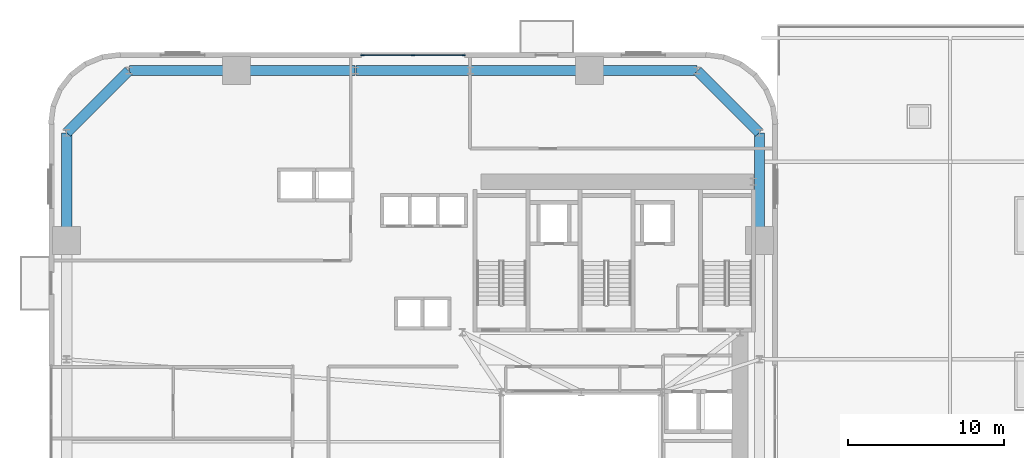
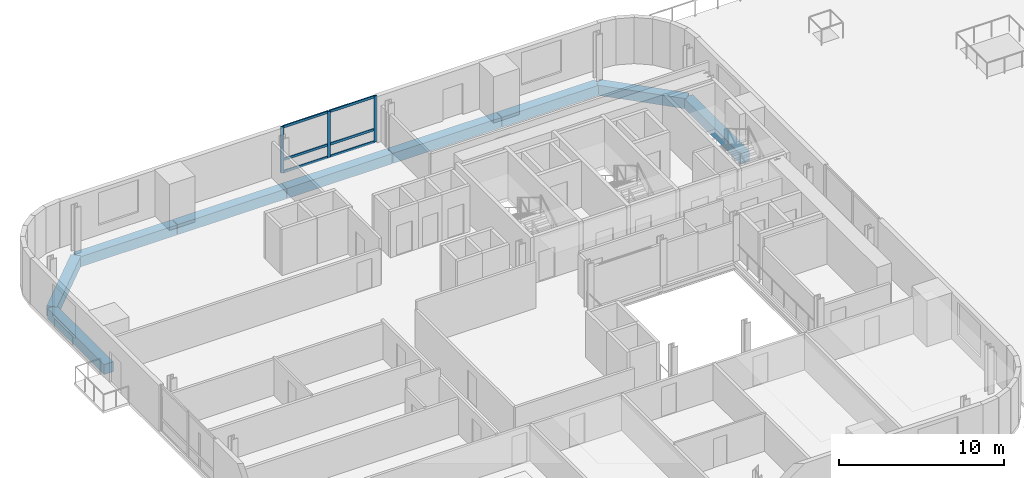
# One storey, part 6 of 18: 9 beams, 9 members, 1 element without a shape of its own.
"""IFC4 building model written with IfcOpenShell, lengths in metres."""

from ifc_helpers import new_model, si_unit, direction, frame, origin, origin_2d, place, context, subcontext, project, spatial, rectangle, extrude, source, transform, mapped, material, material_profile, profile_set, type_object, element, aggregate, save


model = new_model("IFC4")

# Units and contexts
model_context = context("Model", 3, precision=1e-05, world=origin(), true_north=direction((0.0, 1.0)))
body_context = subcontext(model_context, "Body", "Model", "MODEL_VIEW")
ifc_project = project(units=[si_unit("LENGTHUNIT", "METRE"), si_unit("AREAUNIT", "SQUARE_METRE"), si_unit("VOLUMEUNIT", "CUBIC_METRE"), si_unit("PLANEANGLEUNIT", "RADIAN"), si_unit("MASSUNIT", "GRAM", prefix="KILO")], contexts=[model_context])

# Site, building, storey
site_placement = place(None, origin())
site = spatial("IfcSite", under=ifc_project, at=site_placement, CompositionType="ELEMENT")
building_placement = place(site_placement, origin())
building = spatial("IfcBuilding", under=site, at=building_placement, Name="Vardaveli Station Tower", CompositionType="ELEMENT")
storey_placement = place(building_placement, frame((0.0, 0.0, 27.60009765625)))
storey = spatial("IfcBuildingStorey", under=building, at=storey_placement, Name="L06", CompositionType="ELEMENT", Elevation=27.60009765625)

# Beams
ifc_material_1 = material(Name="Precast concrete C45/55", Category="concrete")
ifc_material_profile_1 = material_profile(ifc_material_1, rectangle(XDim=0.64990234375, YDim=0.75, at=origin_2d()), Name="LPB 650x750")
ifc_profile_set_1 = profile_set([ifc_material_profile_1], Name="Precast concrete C45/55")
beam_type = type_object("IfcBeamType", Name="BM-LPB-750", PredefinedType="BEAM", material=ifc_profile_set_1)
shared_shape_1 = source(origin(), body_context, "Body", "SweptSolid", [
    extrude(rectangle(XDim=0.64990234375, YDim=0.75, at=origin_2d()), origin(), (0.0, 0.0, 1.0), 7.60009765625),
])
for number, where, z_axis, x_axis, name in (
    (1, (36.820068359375, 47.449951171875, -0.614990234375), (-1.0, 0.0, 0.0), (0.0, -1.0, 0.0), "RBM-L06-13"),
    (2, (21.780029296875, 47.449951171875, -0.614990234375), (-1.0, 0.0, 0.0), (0.0, -1.0, 0.0), "RBM-L06-15"),
):
    element("IfcBeam", number, at=place(storey_placement, frame(where, z_axis=z_axis, x_axis=x_axis)), inside=storey, type_object=beam_type, Name=name, PredefinedType="BEAM", context=body_context, shape_type="MappedRepresentation", body=[
        mapped(shared_shape_1, transform((0.0, 0.0, 0.0), scale=1.0)),
    ])
shared_shape_2 = source(origin(), body_context, "Body", "SweptSolid", [
    extrude(rectangle(XDim=0.64990234375, YDim=0.75, at=origin_2d()), origin(), (0.0, 0.0, 1.0), 7.35986328125),
])
beam_placement = place(storey_placement, frame((29.179931640625, 47.449951171875, -0.614990234375), z_axis=(-1.0, 0.0, 0.0), x_axis=(0.0, -1.0, 0.0)))
element("IfcBeam", 3, at=beam_placement, inside=storey, type_object=beam_type, Name="RBM-L06-14", PredefinedType="BEAM", context=body_context, shape_type="MappedRepresentation", body=[
    mapped(shared_shape_2, transform((0.0, 0.0, 0.0), scale=1.0)),
])
shared_shape_3 = source(origin(), body_context, "Body", "SweptSolid", [
    extrude(rectangle(XDim=0.64990234375, YDim=0.75, at=origin_2d()), origin(), (0.0, 0.0, 1.0), 6.869873046875),
])
for number, where, z_axis, x_axis, name in (
    (4, (47.75, 36.56005859375, -0.614990234375), (0.0, 1.0, 0.0), (-1.0, 0.0, 0.0), "RBM-L06-10"),
    (5, (43.72998046875, 47.449951171875, -0.614990234375), (-1.0, 0.0, 0.0), (0.0, -1.0, 0.0), "RBM-L06-12"),
    (6, (14.139892578125, 47.449951171875, -0.614990234375), (-1.0, 0.0, 0.0), (0.0, -1.0, 0.0), "RBM-L06-16"),
    (7, (3.25, 43.429931640625, -0.614990234375), (0.0, -1.0, 0.0), (1.0, 0.0, 0.0), "RBM-L06-18"),
):
    element("IfcBeam", number, at=place(storey_placement, frame(where, z_axis=z_axis, x_axis=x_axis)), inside=storey, type_object=beam_type, Name=name, PredefinedType="BEAM", context=body_context, shape_type="MappedRepresentation", body=[
        mapped(shared_shape_3, transform((0.0, 0.0, 0.0), scale=1.0)),
    ])
shared_shape_4 = source(origin(), body_context, "Body", "SweptSolid", [
    extrude(rectangle(XDim=0.64990234375, YDim=0.75, at=origin_2d()), origin(), (0.0, 0.0, 1.0), 5.61669921875),
])
for number, where, z_axis, x_axis, name in (
    (8, (47.73583984375, 43.464111328125, -0.614990234375), (-0.707106781187, 0.707106781187, 0.0), (-0.707106781187, -0.707106781187, 0.0), "RBM-L06-11"),
    (9, (7.23583984375, 47.435791015625, -0.614990234375), (-0.707106781187, -0.707106781187, 0.0), (0.707106781187, -0.707106781187, 0.0), "RBM-L06-17"),
):
    element("IfcBeam", number, at=place(storey_placement, frame(where, z_axis=z_axis, x_axis=x_axis)), inside=storey, type_object=beam_type, Name=name, PredefinedType="BEAM", context=body_context, shape_type="MappedRepresentation", body=[
        mapped(shared_shape_4, transform((0.0, 0.0, 0.0), scale=1.0)),
    ])

# Curtain wall, members
ifc_material_2 = material(Name="Travertine stone and solar-control glass", Category="masonry")
curtain_wall_type = type_object("IfcCurtainWallType", Name="CW-SYS-2", PredefinedType="NOTDEFINED", material=ifc_material_2)
curtain_wall_placement = place(storey_placement, origin())
curtain_wall = element("IfcCurtainWall", 10, at=curtain_wall_placement, inside=storey, type_object=curtain_wall_type, Name="CW-L06-N", PredefinedType="NOTDEFINED")
ifc_material_3 = material(Name="Anodised aluminium alloy 6063-T6", Category="aluminium")
ifc_material_profile_2 = material_profile(ifc_material_3, rectangle(XDim=0.0849609375, YDim=0.219970703125, at=origin_2d()), Name="CWM 85x220")
ifc_profile_set_2 = profile_set([ifc_material_profile_2], Name="Anodised aluminium alloy 6063-T6")
member_type_1 = type_object("IfcMemberType", Name="CW-SYS-2-MULL", PredefinedType="MULLION", material=ifc_profile_set_2)
shared_shape_5 = source(origin(), body_context, "Body", "SweptSolid", [
    extrude(rectangle(XDim=0.0849609375, YDim=0.219970703125, at=origin_2d()), origin(), (0.0, 0.0, 1.0), 3.409912109375),
])
member_1_placement = place(storey_placement, frame((28.757568359375, 48.43994140625, 0.0), z_axis=(0.0, 0.0, 1.0), x_axis=(0.0, -1.0, 0.0)))
member_1 = element("IfcMember", 11, at=member_1_placement, type_object=member_type_1, Name="CW-2 mullion 1", PredefinedType="MULLION", context=body_context, shape_type="MappedRepresentation", body=[
    mapped(shared_shape_5, transform((0.0, 0.0, 0.0), scale=1.0)),
])
member_2_placement = place(storey_placement, frame((25.5, 48.43994140625, 0.0), z_axis=(0.0, 0.0, 1.0), x_axis=(0.0, -1.0, 0.0)))
member_2 = element("IfcMember", 12, at=member_2_placement, type_object=member_type_1, Name="CW-2 mullion 2", PredefinedType="MULLION", context=body_context, shape_type="MappedRepresentation", body=[
    mapped(shared_shape_5, transform((0.0, 0.0, 0.0), scale=1.0)),
])
member_3_placement = place(storey_placement, frame((22.242431640625, 48.43994140625, 0.0), z_axis=(0.0, 0.0, 1.0), x_axis=(0.0, -1.0, 0.0)))
member_3 = element("IfcMember", 13, at=member_3_placement, type_object=member_type_1, Name="CW-2 mullion 3", PredefinedType="MULLION", context=body_context, shape_type="MappedRepresentation", body=[
    mapped(shared_shape_5, transform((0.0, 0.0, 0.0), scale=1.0)),
])
ifc_material_profile_3 = material_profile(ifc_material_3, rectangle(XDim=0.0849609375, YDim=0.179931640625, at=origin_2d()), Name="CWT 85x180")
ifc_profile_set_3 = profile_set([ifc_material_profile_3], Name="Anodised aluminium alloy 6063-T6")
member_type_2 = type_object("IfcMemberType", Name="CW-SYS-2-TRAN", PredefinedType="NOTDEFINED", material=ifc_profile_set_3)
shared_shape_6 = source(origin(), body_context, "Body", "SweptSolid", [
    extrude(rectangle(XDim=0.0849609375, YDim=0.179931640625, at=origin_2d()), origin(), (0.0, 0.0, 1.0), 3.172607421875),
])
member_4_placement = place(storey_placement, frame((28.715087890625, 48.43994140625, 0.04248046875), z_axis=(-1.0, 0.0, 0.0), x_axis=(0.0, -1.0, 0.0)))
member_4 = element("IfcMember", 14, at=member_4_placement, type_object=member_type_2, Name="CW-2 transom 1.1", ObjectType="TRANSOM", PredefinedType="USERDEFINED", context=body_context, shape_type="MappedRepresentation", body=[
    mapped(shared_shape_6, transform((0.0, 0.0, 0.0), scale=1.0)),
])
member_5_placement = place(storey_placement, frame((28.715087890625, 48.43994140625, 0.949951171875), z_axis=(-1.0, 0.0, 0.0), x_axis=(0.0, -1.0, 0.0)))
member_5 = element("IfcMember", 15, at=member_5_placement, type_object=member_type_2, Name="CW-2 transom 1.2", ObjectType="TRANSOM", PredefinedType="USERDEFINED", context=body_context, shape_type="MappedRepresentation", body=[
    mapped(shared_shape_6, transform((0.0, 0.0, 0.0), scale=1.0)),
])
member_6_placement = place(storey_placement, frame((28.715087890625, 48.43994140625, 3.367431640625), z_axis=(-1.0, 0.0, 0.0), x_axis=(0.0, -1.0, 0.0)))
member_6 = element("IfcMember", 16, at=member_6_placement, type_object=member_type_2, Name="CW-2 transom 1.3", ObjectType="TRANSOM", PredefinedType="USERDEFINED", context=body_context, shape_type="MappedRepresentation", body=[
    mapped(shared_shape_6, transform((0.0, 0.0, 0.0), scale=1.0)),
])
member_7_placement = place(storey_placement, frame((25.45751953125, 48.43994140625, 0.04248046875), z_axis=(-1.0, 0.0, 0.0), x_axis=(0.0, -1.0, 0.0)))
member_7 = element("IfcMember", 17, at=member_7_placement, type_object=member_type_2, Name="CW-2 transom 2.1", ObjectType="TRANSOM", PredefinedType="USERDEFINED", context=body_context, shape_type="MappedRepresentation", body=[
    mapped(shared_shape_6, transform((0.0, 0.0, 0.0), scale=1.0)),
])
member_8_placement = place(storey_placement, frame((25.45751953125, 48.43994140625, 0.949951171875), z_axis=(-1.0, 0.0, 0.0), x_axis=(0.0, -1.0, 0.0)))
member_8 = element("IfcMember", 18, at=member_8_placement, type_object=member_type_2, Name="CW-2 transom 2.2", ObjectType="TRANSOM", PredefinedType="USERDEFINED", context=body_context, shape_type="MappedRepresentation", body=[
    mapped(shared_shape_6, transform((0.0, 0.0, 0.0), scale=1.0)),
])
member_9_placement = place(storey_placement, frame((25.45751953125, 48.43994140625, 3.367431640625), z_axis=(-1.0, 0.0, 0.0), x_axis=(0.0, -1.0, 0.0)))
member_9 = element("IfcMember", 19, at=member_9_placement, type_object=member_type_2, Name="CW-2 transom 2.3", ObjectType="TRANSOM", PredefinedType="USERDEFINED", context=body_context, shape_type="MappedRepresentation", body=[
    mapped(shared_shape_6, transform((0.0, 0.0, 0.0), scale=1.0)),
])
aggregate(curtain_wall, [member_1, member_2, member_3, member_4, member_5, member_6, member_7, member_8, member_9])

save(model, "model.ifc")
